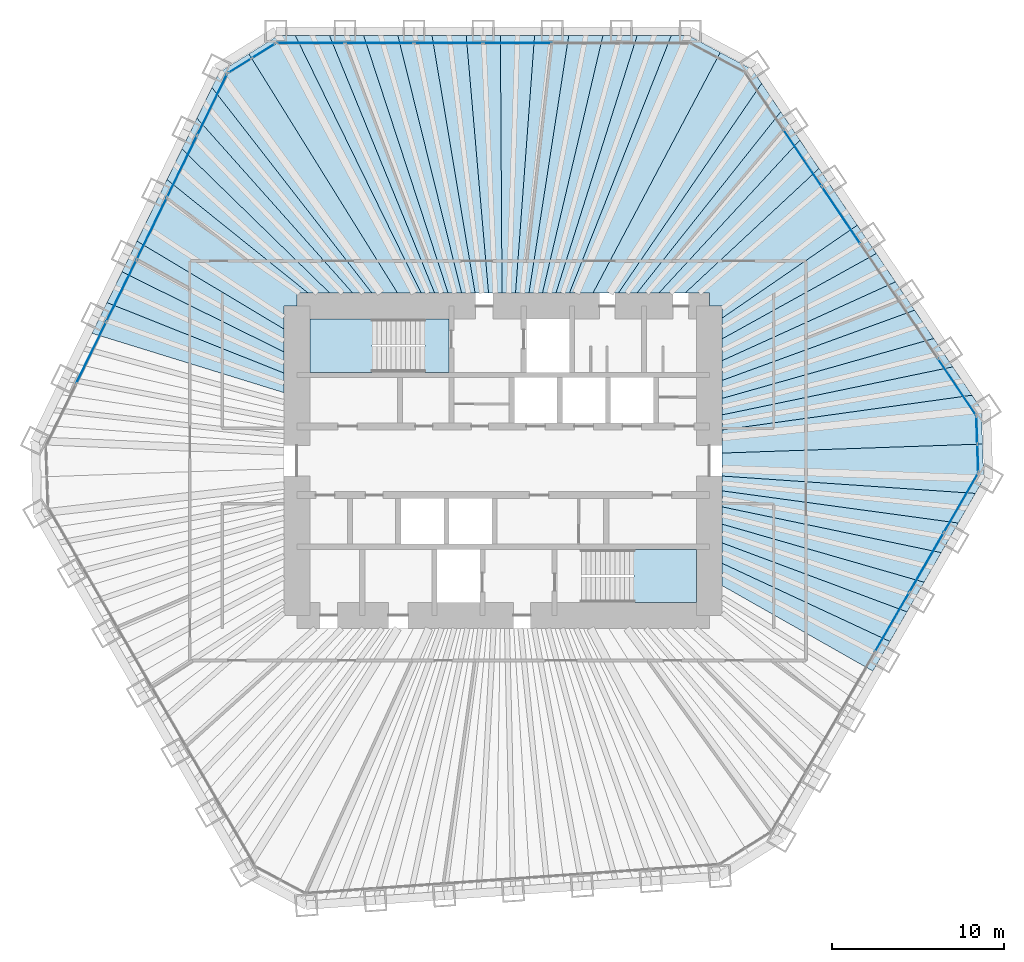
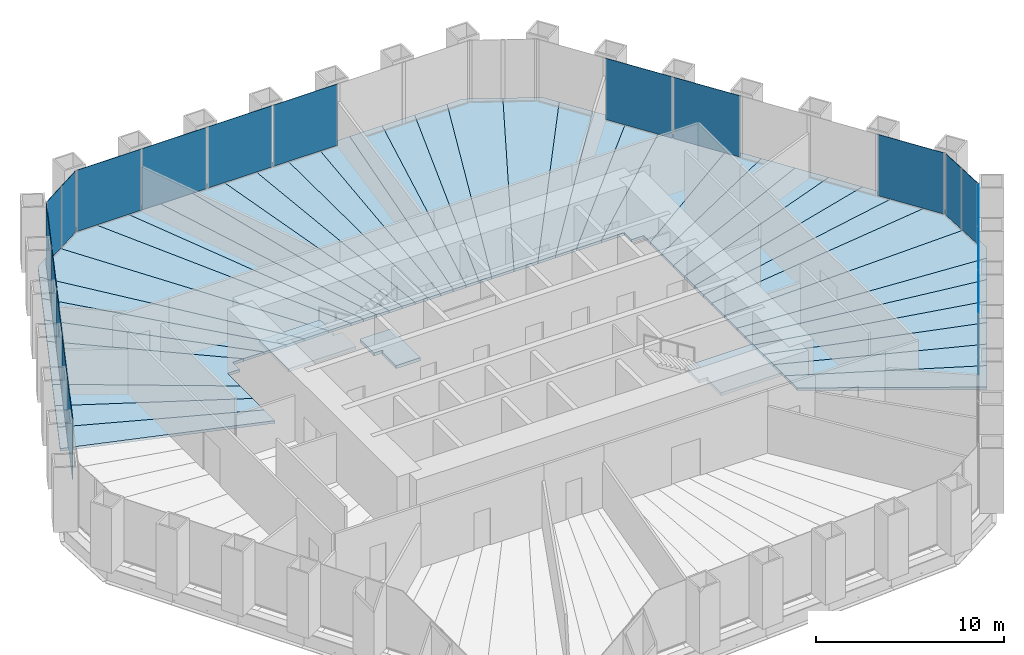
# One storey, part 9 of 13: 43 slabs, 19 plates, 8 elements without a shape of their own.
"""IFC4 building model written with IfcOpenShell, lengths in metres."""

from ifc_helpers import new_model, si_unit, direction, frame, origin, origin_2d, place, context, subcontext, project, spatial, polyline, rectangle, outline, extrude, material, layer, layer_set, type_object, element, aggregate, save


model = new_model("IFC4")

# Units and contexts
model_context = context("Model", 3, precision=1e-05, world=origin(), true_north=direction((0.0, 1.0)))
body_context = subcontext(model_context, "Body", "Model", "MODEL_VIEW")
ifc_project = project(units=[si_unit("LENGTHUNIT", "METRE"), si_unit("AREAUNIT", "SQUARE_METRE"), si_unit("VOLUMEUNIT", "CUBIC_METRE"), si_unit("PLANEANGLEUNIT", "RADIAN"), si_unit("MASSUNIT", "GRAM", prefix="KILO")], contexts=[model_context])

# Site, building, storey
site_placement = place(None, origin())
site = spatial("IfcSite", under=ifc_project, at=site_placement, CompositionType="ELEMENT")
building_placement = place(site_placement, origin())
building = spatial("IfcBuilding", under=site, at=building_placement, Name="Qingtian Harvest Tower", CompositionType="ELEMENT")
storey_placement = place(building_placement, frame((0.0, 0.0, 166.0)))
storey = spatial("IfcBuildingStorey", under=building, at=storey_placement, Name="L35", CompositionType="ELEMENT", Elevation=166.0)

# Slabs
ifc_material_1 = material(Name="Concrete fc' 35 MPa", Category="concrete")
ifc_layer_1 = layer(ifc_material_1, 0.169921875)
ifc_layer_set_1 = layer_set([ifc_layer_1], Name="Composite floor slab FS17 170")
slab_type_1 = type_object("IfcSlabType", Name="Composite floor slab FS17 170", PredefinedType="FLOOR", material=ifc_layer_set_1)
slab_1_placement = place(storey_placement, frame((0.0, 0.0, -0.169921875)))
element("IfcSlab", 1, at=slab_1_placement, inside=storey, type_object=slab_type_1, Name="Floor slab L35 panel D33", PredefinedType="FLOOR", context=body_context, shape_type="SweptSolid", body=[
    extrude(outline(polyline([(12.75, -5.97021484375), (22.51220703125, -10.517578125), (21.517333984375, -12.24072265625), (12.75, -7.268798828125), (12.75, -5.97021484375)])), origin(), (0.0, 0.0, 1.0), 0.169921875),
])
slab_2_placement = place(storey_placement, frame((0.0, 0.0, -0.169921875)))
element("IfcSlab", 2, at=slab_2_placement, inside=storey, type_object=slab_type_1, Name="Floor slab L35 panel D34", PredefinedType="FLOOR", context=body_context, shape_type="SweptSolid", body=[
    extrude(outline(polyline([(12.75, -4.78173828125), (23.50732421875, -8.794189453125), (22.51220703125, -10.517578125), (12.75, -5.97021484375), (12.75, -4.78173828125)])), origin(), (0.0, 0.0, 1.0), 0.169921875),
])
slab_3_placement = place(storey_placement, frame((0.0, 0.0, -0.169921875)))
element("IfcSlab", 3, at=slab_3_placement, inside=storey, type_object=slab_type_1, Name="Floor slab L35 panel D35", PredefinedType="FLOOR", context=body_context, shape_type="SweptSolid", body=[
    extrude(outline(polyline([(12.75, -3.68994140625), (24.502197265625, -7.071044921875), (23.50732421875, -8.794189453125), (12.75, -4.78173828125), (12.75, -3.68994140625)])), origin(), (0.0, 0.0, 1.0), 0.169921875),
])
slab_4_placement = place(storey_placement, frame((0.0, 0.0, -0.169921875)))
element("IfcSlab", 4, at=slab_4_placement, inside=storey, type_object=slab_type_1, Name="Floor slab L35 panel D36", PredefinedType="FLOOR", context=body_context, shape_type="SweptSolid", body=[
    extrude(outline(polyline([(12.75, -2.683349609375), (25.4970703125, -5.34765625), (24.502197265625, -7.071044921875), (12.75, -3.68994140625), (12.75, -2.683349609375)])), origin(), (0.0, 0.0, 1.0), 0.169921875),
])
slab_5_placement = place(storey_placement, frame((0.0, 0.0, -0.169921875)))
element("IfcSlab", 5, at=slab_5_placement, inside=storey, type_object=slab_type_1, Name="Floor slab L35 panel D37", PredefinedType="FLOOR", context=body_context, shape_type="SweptSolid", body=[
    extrude(outline(polyline([(12.75, -1.752685546875), (26.4921875, -3.624267578125), (25.4970703125, -5.34765625), (12.75, -2.683349609375), (12.75, -1.752685546875)])), origin(), (0.0, 0.0, 1.0), 0.169921875),
])
slab_6_placement = place(storey_placement, frame((0.0, 0.0, -0.169921875)))
element("IfcSlab", 6, at=slab_6_placement, inside=storey, type_object=slab_type_1, Name="Floor slab L35 panel D38", PredefinedType="FLOOR", context=body_context, shape_type="SweptSolid", body=[
    extrude(outline(polyline([(12.75, -0.889404296875), (27.487060546875, -1.901123046875), (26.4921875, -3.624267578125), (12.75, -1.752685546875), (12.75, -0.889404296875)])), origin(), (0.0, 0.0, 1.0), 0.169921875),
])
slab_7_placement = place(storey_placement, frame((0.0, 0.0, -0.169921875)))
element("IfcSlab", 7, at=slab_7_placement, inside=storey, type_object=slab_type_1, Name="Floor slab L35 panel D39", PredefinedType="FLOOR", context=body_context, shape_type="SweptSolid", body=[
    extrude(outline(polyline([(12.75, -0.889404296875), (12.75, 0.447509765625), (27.90185546875, 0.974365234375), (27.972900390625, -1.059814453125), (27.487060546875, -1.901123046875), (12.75, -0.889404296875)])), origin(), (0.0, 0.0, 1.0), 0.169921875),
])
slab_8_placement = place(storey_placement, frame((0.0, 0.0, -0.169921875)))
element("IfcSlab", 8, at=slab_8_placement, inside=storey, type_object=slab_type_1, Name="Floor slab L35 panel D40", PredefinedType="FLOOR", context=body_context, shape_type="SweptSolid", body=[
    extrude(outline(polyline([(12.75, 0.447509765625), (12.75, 1.79052734375), (27.287353515625, 3.81396484375), (27.830810546875, 3.008544921875), (27.90185546875, 0.974365234375), (12.75, 0.447509765625)])), origin(), (0.0, 0.0, 1.0), 0.169921875),
])
slab_9_placement = place(storey_placement, frame((0.0, 0.0, -0.169921875)))
element("IfcSlab", 9, at=slab_9_placement, inside=storey, type_object=slab_type_1, Name="Floor slab L35 panel D41", PredefinedType="FLOOR", context=body_context, shape_type="SweptSolid", body=[
    extrude(outline(polyline([(12.75, 2.671142578125), (26.1748046875, 5.463623046875), (27.287353515625, 3.81396484375), (12.75, 1.79052734375), (12.75, 2.671142578125)])), origin(), (0.0, 0.0, 1.0), 0.169921875),
])
slab_10_placement = place(storey_placement, frame((0.0, 0.0, -0.169921875)))
element("IfcSlab", 10, at=slab_10_placement, inside=storey, type_object=slab_type_1, Name="Floor slab L35 panel D42", PredefinedType="FLOOR", context=body_context, shape_type="SweptSolid", body=[
    extrude(outline(polyline([(12.75, 3.6298828125), (25.06201171875, 7.11328125), (26.1748046875, 5.463623046875), (12.75, 2.671142578125), (12.75, 3.6298828125)])), origin(), (0.0, 0.0, 1.0), 0.169921875),
])
slab_11_placement = place(storey_placement, frame((0.0, 0.0, -0.169921875)))
element("IfcSlab", 11, at=slab_11_placement, inside=storey, type_object=slab_type_1, Name="Floor slab L35 panel D43", PredefinedType="FLOOR", context=body_context, shape_type="SweptSolid", body=[
    extrude(outline(polyline([(12.75, 4.677734375), (23.94921875, 8.762939453125), (25.06201171875, 7.11328125), (12.75, 3.6298828125), (12.75, 4.677734375)])), origin(), (0.0, 0.0, 1.0), 0.169921875),
])
slab_12_placement = place(storey_placement, frame((0.0, 0.0, -0.169921875)))
element("IfcSlab", 12, at=slab_12_placement, inside=storey, type_object=slab_type_1, Name="Floor slab L35 panel D44", PredefinedType="FLOOR", context=body_context, shape_type="SweptSolid", body=[
    extrude(outline(polyline([(12.75, 5.828125), (22.83642578125, 10.41259765625), (23.94921875, 8.762939453125), (12.75, 4.677734375), (12.75, 5.828125)])), origin(), (0.0, 0.0, 1.0), 0.169921875),
])
slab_13_placement = place(storey_placement, frame((0.0, 0.0, -0.169921875)))
element("IfcSlab", 13, at=slab_13_placement, inside=storey, type_object=slab_type_1, Name="Floor slab L35 panel D45", PredefinedType="FLOOR", context=body_context, shape_type="SweptSolid", body=[
    extrude(outline(polyline([(12.75, 7.096435546875), (21.723876953125, 12.062255859375), (22.83642578125, 10.41259765625), (12.75, 5.828125), (12.75, 7.096435546875)])), origin(), (0.0, 0.0, 1.0), 0.169921875),
])
slab_14_placement = place(storey_placement, frame((0.0, 0.0, -0.169921875)))
element("IfcSlab", 14, at=slab_14_placement, inside=storey, type_object=slab_type_1, Name="Floor slab L35 panel D46", PredefinedType="FLOOR", context=body_context, shape_type="SweptSolid", body=[
    extrude(outline(polyline([(12.75, 8.30615234375), (20.61328125, 13.708740234375), (21.723876953125, 12.062255859375), (12.75, 7.096435546875), (12.75, 8.30615234375)])), origin(), (0.0, 0.0, 1.0), 0.169921875),
])
slab_15_placement = place(storey_placement, frame((0.0, 0.0, -0.169921875)))
element("IfcSlab", 15, at=slab_15_placement, inside=storey, type_object=slab_type_1, Name="Floor slab L35 panel D48", PredefinedType="FLOOR", context=body_context, shape_type="SweptSolid", body=[
    extrude(outline(polyline([(18.38623046875, 17.010498046875), (20.61328125, 13.708740234375), (12.75, 8.30615234375), (12.75, 9.0), (12.0, 9.0), (12.0, 9.75), (10.578369140625, 9.75), (18.38623046875, 17.010498046875)])), origin(), (0.0, 0.0, 1.0), 0.169921875),
])
slab_16_placement = place(storey_placement, frame((0.0, 0.0, -0.169921875)))
element("IfcSlab", 16, at=slab_16_placement, inside=storey, type_object=slab_type_1, Name="Floor slab L35 panel D49", PredefinedType="FLOOR", context=body_context, shape_type="SweptSolid", body=[
    extrude(outline(polyline([(9.0556640625, 9.75), (17.2734375, 18.66015625), (18.38623046875, 17.010498046875), (10.578369140625, 9.75), (9.0556640625, 9.75)])), origin(), (0.0, 0.0, 1.0), 0.169921875),
])
slab_17_placement = place(storey_placement, frame((0.0, 0.0, -0.169921875)))
element("IfcSlab", 17, at=slab_17_placement, inside=storey, type_object=slab_type_1, Name="Floor slab L35 panel D50", PredefinedType="FLOOR", context=body_context, shape_type="SweptSolid", body=[
    extrude(outline(polyline([(7.781494140625, 9.75), (16.16064453125, 20.31005859375), (17.2734375, 18.66015625), (9.0556640625, 9.75), (7.781494140625, 9.75)])), origin(), (0.0, 0.0, 1.0), 0.169921875),
])
slab_18_placement = place(storey_placement, frame((0.0, 0.0, -0.169921875)))
element("IfcSlab", 18, at=slab_18_placement, inside=storey, type_object=slab_type_1, Name="Floor slab L35 panel D51", PredefinedType="FLOOR", context=body_context, shape_type="SweptSolid", body=[
    extrude(outline(polyline([(6.69970703125, 9.75), (15.0478515625, 21.959716796875), (16.16064453125, 20.31005859375), (7.781494140625, 9.75), (6.69970703125, 9.75)])), origin(), (0.0, 0.0, 1.0), 0.169921875),
])
slab_19_placement = place(storey_placement, frame((0.0, 0.0, -0.169921875)))
element("IfcSlab", 19, at=slab_19_placement, inside=storey, type_object=slab_type_1, Name="Floor slab L35 panel D52", PredefinedType="FLOOR", context=body_context, shape_type="SweptSolid", body=[
    extrude(outline(polyline([(6.69970703125, 9.75), (5.224609375, 9.75), (12.634033203125, 23.759765625), (14.504638671875, 22.765380859375), (15.0478515625, 21.959716796875), (6.69970703125, 9.75)])), origin(), (0.0, 0.0, 1.0), 0.169921875),
])
slab_20_placement = place(storey_placement, frame((0.0, 0.0, -0.169921875)))
element("IfcSlab", 20, at=slab_20_placement, inside=storey, type_object=slab_type_1, Name="Floor slab L35 panel D53", PredefinedType="FLOOR", context=body_context, shape_type="SweptSolid", body=[
    extrude(outline(polyline([(3.856201171875, 9.75), (9.791015625, 24.7548828125), (10.762451171875, 24.7548828125), (12.634033203125, 23.759765625), (5.224609375, 9.75), (3.856201171875, 9.75)])), origin(), (0.0, 0.0, 1.0), 0.169921875),
])
slab_21_placement = place(storey_placement, frame((0.0, 0.0, -0.169921875)))
element("IfcSlab", 21, at=slab_21_placement, inside=storey, type_object=slab_type_1, Name="Floor slab L35 panel D54", PredefinedType="FLOOR", context=body_context, shape_type="SweptSolid", body=[
    extrude(outline(polyline([(3.072509765625, 9.75), (7.80126953125, 24.7548828125), (9.791015625, 24.7548828125), (3.856201171875, 9.75), (3.072509765625, 9.75)])), origin(), (0.0, 0.0, 1.0), 0.169921875),
])
slab_22_placement = place(storey_placement, frame((0.0, 0.0, -0.169921875)))
element("IfcSlab", 22, at=slab_22_placement, inside=storey, type_object=slab_type_1, Name="Floor slab L35 panel D55", PredefinedType="FLOOR", context=body_context, shape_type="SweptSolid", body=[
    extrude(outline(polyline([(2.288818359375, 9.75), (5.811279296875, 24.7548828125), (7.80126953125, 24.7548828125), (3.072509765625, 9.75), (2.288818359375, 9.75)])), origin(), (0.0, 0.0, 1.0), 0.169921875),
])
slab_23_placement = place(storey_placement, frame((0.0, 0.0, -0.169921875)))
element("IfcSlab", 23, at=slab_23_placement, inside=storey, type_object=slab_type_1, Name="Floor slab L35 panel D56", PredefinedType="FLOOR", context=body_context, shape_type="SweptSolid", body=[
    extrude(outline(polyline([(1.505126953125, 9.75), (3.821533203125, 24.7548828125), (5.811279296875, 24.7548828125), (2.288818359375, 9.75), (1.505126953125, 9.75)])), origin(), (0.0, 0.0, 1.0), 0.169921875),
])
slab_24_placement = place(storey_placement, frame((0.0, 0.0, -0.169921875)))
element("IfcSlab", 24, at=slab_24_placement, inside=storey, type_object=slab_type_1, Name="Floor slab L35 panel D57", PredefinedType="FLOOR", context=body_context, shape_type="SweptSolid", body=[
    extrude(outline(polyline([(0.721435546875, 9.75), (1.831787109375, 24.7548828125), (3.821533203125, 24.7548828125), (1.505126953125, 9.75), (0.721435546875, 9.75)])), origin(), (0.0, 0.0, 1.0), 0.169921875),
])
slab_25_placement = place(storey_placement, frame((0.0, 0.0, -0.169921875)))
element("IfcSlab", 25, at=slab_25_placement, inside=storey, type_object=slab_type_1, Name="Floor slab L35 panel D58", PredefinedType="FLOOR", context=body_context, shape_type="SweptSolid", body=[
    extrude(outline(polyline([(-0.062255859375, 9.75), (-0.158203125, 24.7548828125), (1.831787109375, 24.7548828125), (0.721435546875, 9.75), (-0.062255859375, 9.75)])), origin(), (0.0, 0.0, 1.0), 0.169921875),
])
slab_26_placement = place(storey_placement, frame((0.0, 0.0, -0.169921875)))
element("IfcSlab", 26, at=slab_26_placement, inside=storey, type_object=slab_type_1, Name="Floor slab L35 panel D59", PredefinedType="FLOOR", context=body_context, shape_type="SweptSolid", body=[
    extrude(outline(polyline([(-0.845947265625, 9.75), (-2.14794921875, 24.7548828125), (-0.158203125, 24.7548828125), (-0.062255859375, 9.75), (-0.845947265625, 9.75)])), origin(), (0.0, 0.0, 1.0), 0.169921875),
])
slab_27_placement = place(storey_placement, frame((0.0, 0.0, -0.169921875)))
element("IfcSlab", 27, at=slab_27_placement, inside=storey, type_object=slab_type_1, Name="Floor slab L35 panel D60", PredefinedType="FLOOR", context=body_context, shape_type="SweptSolid", body=[
    extrude(outline(polyline([(-1.629638671875, 9.75), (-4.137939453125, 24.7548828125), (-2.14794921875, 24.7548828125), (-0.845947265625, 9.75), (-1.629638671875, 9.75)])), origin(), (0.0, 0.0, 1.0), 0.169921875),
])
slab_28_placement = place(storey_placement, frame((0.0, 0.0, -0.169921875)))
element("IfcSlab", 28, at=slab_28_placement, inside=storey, type_object=slab_type_1, Name="Floor slab L35 panel D61", PredefinedType="FLOOR", context=body_context, shape_type="SweptSolid", body=[
    extrude(outline(polyline([(-2.41357421875, 9.75), (-6.127685546875, 24.7548828125), (-4.137939453125, 24.7548828125), (-1.629638671875, 9.75), (-2.41357421875, 9.75)])), origin(), (0.0, 0.0, 1.0), 0.169921875),
])
slab_29_placement = place(storey_placement, frame((0.0, 0.0, -0.169921875)))
element("IfcSlab", 29, at=slab_29_placement, inside=storey, type_object=slab_type_1, Name="Floor slab L35 panel D62", PredefinedType="FLOOR", context=body_context, shape_type="SweptSolid", body=[
    extrude(outline(polyline([(-3.197265625, 9.75), (-8.117431640625, 24.7548828125), (-6.127685546875, 24.7548828125), (-2.41357421875, 9.75), (-3.197265625, 9.75)])), origin(), (0.0, 0.0, 1.0), 0.169921875),
])
slab_30_placement = place(storey_placement, frame((0.0, 0.0, -0.169921875)))
element("IfcSlab", 30, at=slab_30_placement, inside=storey, type_object=slab_type_1, Name="Floor slab L35 panel D63", PredefinedType="FLOOR", context=body_context, shape_type="SweptSolid", body=[
    extrude(outline(polyline([(-3.98095703125, 9.75), (-10.107421875, 24.7548828125), (-8.117431640625, 24.7548828125), (-3.197265625, 9.75), (-3.98095703125, 9.75)])), origin(), (0.0, 0.0, 1.0), 0.169921875),
])
slab_31_placement = place(storey_placement, frame((0.0, 0.0, -0.169921875)))
element("IfcSlab", 31, at=slab_31_placement, inside=storey, type_object=slab_type_1, Name="Floor slab L35 panel D64", PredefinedType="FLOOR", context=body_context, shape_type="SweptSolid", body=[
    extrude(outline(polyline([(-4.7646484375, 9.75), (-12.09716796875, 24.7548828125), (-10.107421875, 24.7548828125), (-3.98095703125, 9.75), (-4.7646484375, 9.75)])), origin(), (0.0, 0.0, 1.0), 0.169921875),
])
slab_32_placement = place(storey_placement, frame((0.0, 0.0, -0.169921875)))
element("IfcSlab", 32, at=slab_32_placement, inside=storey, type_object=slab_type_1, Name="Floor slab L35 panel D65", PredefinedType="FLOOR", context=body_context, shape_type="SweptSolid", body=[
    extrude(outline(polyline([(-4.7646484375, 9.75), (-6.13671875, 9.75), (-14.795166015625, 23.676025390625), (-13.068603515625, 24.7548828125), (-12.09716796875, 24.7548828125), (-4.7646484375, 9.75)])), origin(), (0.0, 0.0, 1.0), 0.169921875),
])
slab_33_placement = place(storey_placement, frame((0.0, 0.0, -0.169921875)))
element("IfcSlab", 33, at=slab_33_placement, inside=storey, type_object=slab_type_1, Name="Floor slab L35 panel D66", PredefinedType="FLOOR", context=body_context, shape_type="SweptSolid", body=[
    extrude(outline(polyline([(-6.13671875, 9.75), (-7.62646484375, 9.75), (-16.94677734375, 21.724609375), (-16.520751953125, 22.597900390625), (-14.795166015625, 23.676025390625), (-6.13671875, 9.75)])), origin(), (0.0, 0.0, 1.0), 0.169921875),
])
slab_34_placement = place(storey_placement, frame((0.0, 0.0, -0.169921875)))
element("IfcSlab", 34, at=slab_34_placement, inside=storey, type_object=slab_type_1, Name="Floor slab L35 panel D67", PredefinedType="FLOOR", context=body_context, shape_type="SweptSolid", body=[
    extrude(outline(polyline([(-8.74169921875, 9.75), (-17.819091796875, 19.93603515625), (-16.94677734375, 21.724609375), (-7.62646484375, 9.75), (-8.74169921875, 9.75)])), origin(), (0.0, 0.0, 1.0), 0.169921875),
])
slab_35_placement = place(storey_placement, frame((0.0, 0.0, -0.169921875)))
element("IfcSlab", 35, at=slab_35_placement, inside=storey, type_object=slab_type_1, Name="Floor slab L35 panel D68", PredefinedType="FLOOR", context=body_context, shape_type="SweptSolid", body=[
    extrude(outline(polyline([(-10.077880859375, 9.75), (-18.69140625, 18.1474609375), (-17.819091796875, 19.93603515625), (-8.74169921875, 9.75), (-10.077880859375, 9.75)])), origin(), (0.0, 0.0, 1.0), 0.169921875),
])
slab_36_placement = place(storey_placement, frame((0.0, 0.0, -0.169921875)))
element("IfcSlab", 36, at=slab_36_placement, inside=storey, type_object=slab_type_1, Name="Floor slab L35 panel D69", PredefinedType="FLOOR", context=body_context, shape_type="SweptSolid", body=[
    extrude(outline(polyline([(-11.329345703125, 9.75), (-19.561279296875, 16.364013671875), (-18.69140625, 18.1474609375), (-10.077880859375, 9.75), (-11.329345703125, 9.75)])), origin(), (0.0, 0.0, 1.0), 0.169921875),
])
slab_37_placement = place(storey_placement, frame((0.0, 0.0, -0.169921875)))
element("IfcSlab", 37, at=slab_37_placement, inside=storey, type_object=slab_type_1, Name="Floor slab L35 panel D70", PredefinedType="FLOOR", context=body_context, shape_type="SweptSolid", body=[
    extrude(outline(polyline([(-12.0, 9.0), (-12.75, 9.0), (-12.75, 7.662841796875), (-21.307861328125, 12.78271484375), (-19.561279296875, 16.364013671875), (-11.329345703125, 9.75), (-12.0, 9.75), (-12.0, 9.0)])), origin(), (0.0, 0.0, 1.0), 0.169921875),
])
slab_38_placement = place(storey_placement, frame((0.0, 0.0, -0.169921875)))
element("IfcSlab", 38, at=slab_38_placement, inside=storey, type_object=slab_type_1, Name="Floor slab L35 panel D72", PredefinedType="FLOOR", context=body_context, shape_type="SweptSolid", body=[
    extrude(outline(polyline([(-12.75, 6.332275390625), (-22.18017578125, 10.994384765625), (-21.307861328125, 12.78271484375), (-12.75, 7.662841796875), (-12.75, 6.332275390625)])), origin(), (0.0, 0.0, 1.0), 0.169921875),
])
slab_39_placement = place(storey_placement, frame((0.0, 0.0, -0.169921875)))
element("IfcSlab", 39, at=slab_39_placement, inside=storey, type_object=slab_type_1, Name="Floor slab L35 panel D73", PredefinedType="FLOOR", context=body_context, shape_type="SweptSolid", body=[
    extrude(outline(polyline([(-12.75, 5.1025390625), (-23.052490234375, 9.205810546875), (-22.18017578125, 10.994384765625), (-12.75, 6.332275390625), (-12.75, 5.1025390625)])), origin(), (0.0, 0.0, 1.0), 0.169921875),
])
slab_40_placement = place(storey_placement, frame((0.0, 0.0, -0.169921875)))
element("IfcSlab", 40, at=slab_40_placement, inside=storey, type_object=slab_type_1, Name="Floor slab L35 panel D74", PredefinedType="FLOOR", context=body_context, shape_type="SweptSolid", body=[
    extrude(outline(polyline([(-12.75, 3.962646484375), (-23.9248046875, 7.417236328125), (-23.052490234375, 9.205810546875), (-12.75, 5.1025390625), (-12.75, 3.962646484375)])), origin(), (0.0, 0.0, 1.0), 0.169921875),
])

# Curtain wall, plates
ifc_material_2 = material(Name="Bronze-anodised aluminium curtain wall", Category="aluminium")
curtain_wall_type = type_object("IfcCurtainWallType", Name="Curtain wall CW4 office", PredefinedType="USERDEFINED", material=ifc_material_2)
curtain_wall_1_placement = place(storey_placement, origin())
curtain_wall_1 = element("IfcCurtainWall", 41, at=curtain_wall_1_placement, inside=storey, type_object=curtain_wall_type, Name="Curtain wall CW4 L35 N0-5", ObjectType="RECESSED CURTAIN WALL", PredefinedType="USERDEFINED")
ifc_material_3 = material(Name="Bronze-tinted laminated insulating glass", Category="glass")
ifc_layer_2 = layer(ifc_material_3, 0.030029296875)
ifc_layer_set_2 = layer_set([ifc_layer_2], Name="Glazed panel CWP tinted IGU")
plate_type = type_object("IfcPlateType", Name="Glazed panel CWP tinted IGU", PredefinedType="CURTAIN_PANEL", material=ifc_layer_set_2)
plate_1_placement = place(storey_placement, frame((-11.196044921875, 24.300048828125, 0.06494140625), z_axis=(0.0, 0.0, 1.0), x_axis=(1.0, 0.0, 0.0)))
plate_1 = element("IfcPlate", 42, at=plate_1_placement, type_object=plate_type, Name="CW4 panel 1.1", PredefinedType="CURTAIN_PANEL", context=body_context, shape_type="SweptSolid", body=[
    extrude(rectangle(XDim=3.921630859375, YDim=0.030029296875, at=origin_2d()), origin(), (0.0, 0.0, 1.0), 3.965087890625),
])
plate_2_placement = place(storey_placement, frame((-7.193115234375, 24.300048828125, 0.06494140625), z_axis=(0.0, 0.0, 1.0), x_axis=(1.0, 0.0, 0.0)))
plate_2 = element("IfcPlate", 43, at=plate_2_placement, type_object=plate_type, Name="CW4 panel 2.1", PredefinedType="CURTAIN_PANEL", context=body_context, shape_type="SweptSolid", body=[
    extrude(rectangle(XDim=3.9541015625, YDim=0.030029296875, at=origin_2d()), origin(), (0.0, 0.0, 1.0), 3.965087890625),
])
plate_3_placement = place(storey_placement, frame((-3.174072265625, 24.300048828125, 0.06494140625), z_axis=(0.0, 0.0, 1.0), x_axis=(1.0, 0.0, 0.0)))
plate_3 = element("IfcPlate", 44, at=plate_3_placement, type_object=plate_type, Name="CW4 panel 3.1", PredefinedType="CURTAIN_PANEL", context=body_context, shape_type="SweptSolid", body=[
    extrude(rectangle(XDim=3.9541015625, YDim=0.030029296875, at=origin_2d()), origin(), (0.0, 0.0, 1.0), 3.965087890625),
])
plate_4_placement = place(storey_placement, frame((0.844970703125, 24.300048828125, 0.06494140625), z_axis=(0.0, 0.0, 1.0), x_axis=(1.0, 0.0, 0.0)))
plate_4 = element("IfcPlate", 45, at=plate_4_placement, type_object=plate_type, Name="CW4 panel 4.1", PredefinedType="CURTAIN_PANEL", context=body_context, shape_type="SweptSolid", body=[
    extrude(rectangle(XDim=3.9541015625, YDim=0.030029296875, at=origin_2d()), origin(), (0.0, 0.0, 1.0), 3.965087890625),
])
aggregate(curtain_wall_1, [plate_1, plate_2, plate_3, plate_4])

curtain_wall_2_placement = place(storey_placement, origin())
curtain_wall_2 = element("IfcCurtainWall", 46, at=curtain_wall_2_placement, inside=storey, type_object=curtain_wall_type, Name="Curtain wall CW4 L35 NE0-5", ObjectType="RECESSED CURTAIN WALL", PredefinedType="USERDEFINED")
plate_5_placement = place(storey_placement, frame((17.425537109375, 17.620849609375, 0.06494140625), z_axis=(0.0, 0.0, 1.0), x_axis=(0.559192903471, -0.829037572555, 0.0)))
plate_5 = element("IfcPlate", 47, at=plate_5_placement, type_object=plate_type, Name="CW4 panel 2.1", PredefinedType="CURTAIN_PANEL", context=body_context, shape_type="SweptSolid", body=[
    extrude(rectangle(XDim=3.9541015625, YDim=0.030029296875, at=origin_2d()), origin(), (0.0, 0.0, 1.0), 3.965087890625),
])
plate_6_placement = place(storey_placement, frame((19.673095703125, 14.2890625, 0.06494140625), z_axis=(0.0, 0.0, 1.0), x_axis=(0.559192903471, -0.829037572555, 0.0)))
plate_6 = element("IfcPlate", 48, at=plate_6_placement, type_object=plate_type, Name="CW4 panel 3.1", PredefinedType="CURTAIN_PANEL", context=body_context, shape_type="SweptSolid", body=[
    extrude(rectangle(XDim=3.9541015625, YDim=0.030029296875, at=origin_2d()), origin(), (0.0, 0.0, 1.0), 3.965087890625),
])
plate_7_placement = place(storey_placement, frame((26.40625, 4.306640625, 0.06494140625), z_axis=(0.0, 0.0, 1.0), x_axis=(0.559192903471, -0.829037572555, 0.0)))
plate_7 = element("IfcPlate", 49, at=plate_7_placement, type_object=plate_type, Name="CW4 panel 6.1", PredefinedType="CURTAIN_PANEL", context=body_context, shape_type="SweptSolid", body=[
    extrude(rectangle(XDim=3.921630859375, YDim=0.030029296875, at=origin_2d()), origin(), (0.0, 0.0, 1.0), 3.965087890625),
])
aggregate(curtain_wall_2, [plate_5, plate_6, plate_7])

curtain_wall_3_placement = place(storey_placement, origin())
curtain_wall_3 = element("IfcCurtainWall", 50, at=curtain_wall_3_placement, inside=storey, type_object=curtain_wall_type, Name="Curtain wall CW4 L35 NEC", ObjectType="RECESSED CURTAIN WALL", PredefinedType="USERDEFINED")
plate_8_placement = place(storey_placement, frame((27.568603515625, 1.779052734375, 0.06494140625), z_axis=(0.0, 0.0, 1.0), x_axis=(0.034899496703, -0.999390827019, 0.0)))
plate_8 = element("IfcPlate", 51, at=plate_8_placement, type_object=plate_type, Name="CW4 panel 1.1", PredefinedType="CURTAIN_PANEL", context=body_context, shape_type="SweptSolid", body=[
    extrude(rectangle(XDim=1.56689453125, YDim=0.030029296875, at=origin_2d()), origin(), (0.0, 0.0, 1.0), 3.965087890625),
])
plate_9_placement = place(storey_placement, frame((27.625732421875, 0.148193359375, 0.06494140625), z_axis=(0.0, 0.0, 1.0), x_axis=(0.034899496703, -0.999390827019, 0.0)))
plate_9 = element("IfcPlate", 52, at=plate_9_placement, type_object=plate_type, Name="CW4 panel 2.1", PredefinedType="CURTAIN_PANEL", context=body_context, shape_type="SweptSolid", body=[
    extrude(rectangle(XDim=1.56689453125, YDim=0.030029296875, at=origin_2d()), origin(), (0.0, 0.0, 1.0), 3.965087890625),
])
aggregate(curtain_wall_3, [plate_8, plate_9])

curtain_wall_4_placement = place(storey_placement, origin())
curtain_wall_4 = element("IfcCurtainWall", 53, at=curtain_wall_4_placement, inside=storey, type_object=curtain_wall_type, Name="Curtain wall CW4 L35 SE0-5", ObjectType="RECESSED CURTAIN WALL", PredefinedType="USERDEFINED")
plate_10_placement = place(storey_placement, frame((26.642333984375, -2.4541015625, 0.06494140625), z_axis=(0.0, 0.0, 1.0), x_axis=(-0.5, -0.866025403784, 0.0)))
plate_10 = element("IfcPlate", 54, at=plate_10_placement, type_object=plate_type, Name="CW4 panel 1.1", PredefinedType="CURTAIN_PANEL", context=body_context, shape_type="SweptSolid", body=[
    extrude(rectangle(XDim=3.921630859375, YDim=0.030029296875, at=origin_2d()), origin(), (0.0, 0.0, 1.0), 3.965087890625),
])
plate_11_placement = place(storey_placement, frame((24.640869140625, -5.920654296875, 0.06494140625), z_axis=(0.0, 0.0, 1.0), x_axis=(-0.5, -0.866025403784, 0.0)))
plate_11 = element("IfcPlate", 55, at=plate_11_placement, type_object=plate_type, Name="CW4 panel 2.1", PredefinedType="CURTAIN_PANEL", context=body_context, shape_type="SweptSolid", body=[
    extrude(rectangle(XDim=3.9541015625, YDim=0.030029296875, at=origin_2d()), origin(), (0.0, 0.0, 1.0), 3.965087890625),
])
plate_12_placement = place(storey_placement, frame((22.63134765625, -9.401123046875, 0.06494140625), z_axis=(0.0, 0.0, 1.0), x_axis=(-0.5, -0.866025403784, 0.0)))
plate_12 = element("IfcPlate", 56, at=plate_12_placement, type_object=plate_type, Name="CW4 panel 3.1", PredefinedType="CURTAIN_PANEL", context=body_context, shape_type="SweptSolid", body=[
    extrude(rectangle(XDim=3.9541015625, YDim=0.030029296875, at=origin_2d()), origin(), (0.0, 0.0, 1.0), 3.965087890625),
])
aggregate(curtain_wall_4, [plate_10, plate_11, plate_12])

curtain_wall_5_placement = place(storey_placement, origin())
curtain_wall_5 = element("IfcCurtainWall", 57, at=curtain_wall_5_placement, inside=storey, type_object=curtain_wall_type, Name="Curtain wall CW4 L35 NW0-5", ObjectType="RECESSED CURTAIN WALL", PredefinedType="USERDEFINED")
plate_13_placement = place(storey_placement, frame((-23.972900390625, 6.280517578125, 0.06494140625), z_axis=(0.0, 0.0, 1.0), x_axis=(0.438371146789, 0.898794046299, 0.0)))
plate_13 = element("IfcPlate", 58, at=plate_13_placement, type_object=plate_type, Name="CW4 panel 2.1", PredefinedType="CURTAIN_PANEL", context=body_context, shape_type="SweptSolid", body=[
    extrude(rectangle(XDim=3.9541015625, YDim=0.030029296875, at=origin_2d()), origin(), (0.0, 0.0, 1.0), 3.965087890625),
])
plate_14_placement = place(storey_placement, frame((-22.211181640625, 9.892822265625, 0.06494140625), z_axis=(0.0, 0.0, 1.0), x_axis=(0.438371146789, 0.898794046299, 0.0)))
plate_14 = element("IfcPlate", 59, at=plate_14_placement, type_object=plate_type, Name="CW4 panel 3.1", PredefinedType="CURTAIN_PANEL", context=body_context, shape_type="SweptSolid", body=[
    extrude(rectangle(XDim=3.9541015625, YDim=0.030029296875, at=origin_2d()), origin(), (0.0, 0.0, 1.0), 3.965087890625),
])
plate_15_placement = place(storey_placement, frame((-20.44921875, 13.505126953125, 0.06494140625), z_axis=(0.0, 0.0, 1.0), x_axis=(0.438371146789, 0.898794046299, 0.0)))
plate_15 = element("IfcPlate", 60, at=plate_15_placement, type_object=plate_type, Name="CW4 panel 4.1", PredefinedType="CURTAIN_PANEL", context=body_context, shape_type="SweptSolid", body=[
    extrude(rectangle(XDim=3.9541015625, YDim=0.030029296875, at=origin_2d()), origin(), (0.0, 0.0, 1.0), 3.965087890625),
])
plate_16_placement = place(storey_placement, frame((-18.6875, 17.117431640625, 0.06494140625), z_axis=(0.0, 0.0, 1.0), x_axis=(0.438371146789, 0.898794046299, 0.0)))
plate_16 = element("IfcPlate", 61, at=plate_16_placement, type_object=plate_type, Name="CW4 panel 5.1", PredefinedType="CURTAIN_PANEL", context=body_context, shape_type="SweptSolid", body=[
    extrude(rectangle(XDim=3.9541015625, YDim=0.030029296875, at=origin_2d()), origin(), (0.0, 0.0, 1.0), 3.965087890625),
])
plate_17_placement = place(storey_placement, frame((-16.9326171875, 20.71533203125, 0.06494140625), z_axis=(0.0, 0.0, 1.0), x_axis=(0.438371146789, 0.898794046299, 0.0)))
plate_17 = element("IfcPlate", 62, at=plate_17_placement, type_object=plate_type, Name="CW4 panel 6.1", PredefinedType="CURTAIN_PANEL", context=body_context, shape_type="SweptSolid", body=[
    extrude(rectangle(XDim=3.921630859375, YDim=0.030029296875, at=origin_2d()), origin(), (0.0, 0.0, 1.0), 3.965087890625),
])
aggregate(curtain_wall_5, [plate_13, plate_14, plate_15, plate_16, plate_17])

curtain_wall_6_placement = place(storey_placement, origin())
curtain_wall_6 = element("IfcCurtainWall", 63, at=curtain_wall_6_placement, inside=storey, type_object=curtain_wall_type, Name="Curtain wall CW4 L35 NWC", ObjectType="RECESSED CURTAIN WALL", PredefinedType="USERDEFINED")
plate_18_placement = place(storey_placement, frame((-15.3251953125, 22.985595703125, 0.06494140625), z_axis=(0.0, 0.0, 1.0), x_axis=(0.848048096156, 0.529919264233, 0.0)))
plate_18 = element("IfcPlate", 64, at=plate_18_placement, type_object=plate_type, Name="CW4 panel 1.1", PredefinedType="CURTAIN_PANEL", context=body_context, shape_type="SweptSolid", body=[
    extrude(rectangle(XDim=1.56689453125, YDim=0.030029296875, at=origin_2d()), origin(), (0.0, 0.0, 1.0), 3.965087890625),
])
plate_19_placement = place(storey_placement, frame((-13.941162109375, 23.850341796875, 0.06494140625), z_axis=(0.0, 0.0, 1.0), x_axis=(0.848048096156, 0.529919264233, 0.0)))
plate_19 = element("IfcPlate", 65, at=plate_19_placement, type_object=plate_type, Name="CW4 panel 2.1", PredefinedType="CURTAIN_PANEL", context=body_context, shape_type="SweptSolid", body=[
    extrude(rectangle(XDim=1.56689453125, YDim=0.030029296875, at=origin_2d()), origin(), (0.0, 0.0, 1.0), 3.965087890625),
])
aggregate(curtain_wall_6, [plate_18, plate_19])

# Stair, slabs
ifc_material_4 = material(Name="Concrete fc' 35 MPa", Category="concrete")
stair_type = type_object("IfcStairType", Name="Special stair ST3 4200", PredefinedType="HALF_TURN_STAIR", material=ifc_material_4)
stair_1_placement = place(storey_placement, origin())
stair_1 = element("IfcStair", 66, at=stair_1_placement, inside=storey, type_object=stair_type, Name="Special stair S1 L35", PredefinedType="HALF_TURN_STAIR")
ifc_material_5 = material(Name="Concrete fc' 35 MPa", Category="concrete")
ifc_layer_3 = layer(ifc_material_5, 0.199951171875)
ifc_layer_set_3 = layer_set([ifc_layer_3], Name="Stair landing SL2 200")
slab_type_2 = type_object("IfcSlabType", Name="Stair landing SL2 200", PredefinedType="LANDING", material=ifc_layer_set_3)
slab_41_placement = place(storey_placement, frame((0.0, 0.0, -0.199951171875)))
slab_41 = element("IfcSlab", 67, at=slab_41_placement, type_object=slab_type_2, Name="S1 landing 1", PredefinedType="LANDING", context=body_context, shape_type="SweptSolid", body=[
    extrude(outline(polyline([(-4.64990234375, 5.14990234375), (-4.64990234375, 6.64990234375), (-4.550048828125, 6.64990234375), (-4.550048828125, 6.75), (-5.0849609375, 6.75), (-5.0849609375, 8.25), (-3.14990234375, 8.25), (-3.14990234375, 5.14990234375), (-4.64990234375, 5.14990234375)])), origin(), (0.0, 0.0, 1.0), 0.199951171875),
])
slab_42_placement = place(storey_placement, frame((0.0, 0.0, 1.89990234375)))
slab_42 = element("IfcSlab", 68, at=slab_42_placement, type_object=slab_type_2, Name="S1 landing 2", PredefinedType="LANDING", context=body_context, shape_type="SweptSolid", body=[
    extrude(outline(polyline([(-7.094970703125, 5.14990234375), (-11.25, 5.14990234375), (-11.25, 8.25), (-7.530029296875, 8.25), (-7.530029296875, 6.75), (-7.6298828125, 6.75), (-7.6298828125, 6.64990234375), (-7.094970703125, 6.64990234375), (-7.094970703125, 5.14990234375)])), origin(), (0.0, 0.0, 1.0), 0.2001953125),
])
aggregate(stair_1, [slab_41, slab_42])

# Stair, slab
stair_2_placement = place(storey_placement, origin())
stair_2 = element("IfcStair", 69, at=stair_2_placement, inside=storey, type_object=stair_type, Name="Special stair S2 L35", PredefinedType="HALF_TURN_STAIR")
slab_43_placement = place(storey_placement, frame((0.0, 0.0, 1.89990234375)))
slab_43 = element("IfcSlab", 70, at=slab_43_placement, type_object=slab_type_2, Name="S2 landing 2", PredefinedType="LANDING", context=body_context, shape_type="SweptSolid", body=[
    extrude(outline(polyline([(7.530029296875, -8.25), (7.530029296875, -6.75), (7.6298828125, -6.75), (7.6298828125, -6.64990234375), (7.094970703125, -6.64990234375), (7.094970703125, -5.14990234375), (11.25, -5.14990234375), (11.25, -8.25), (7.530029296875, -8.25)])), origin(), (0.0, 0.0, 1.0), 0.2001953125),
])
aggregate(stair_2, [slab_43])

save(model, "model.ifc")
